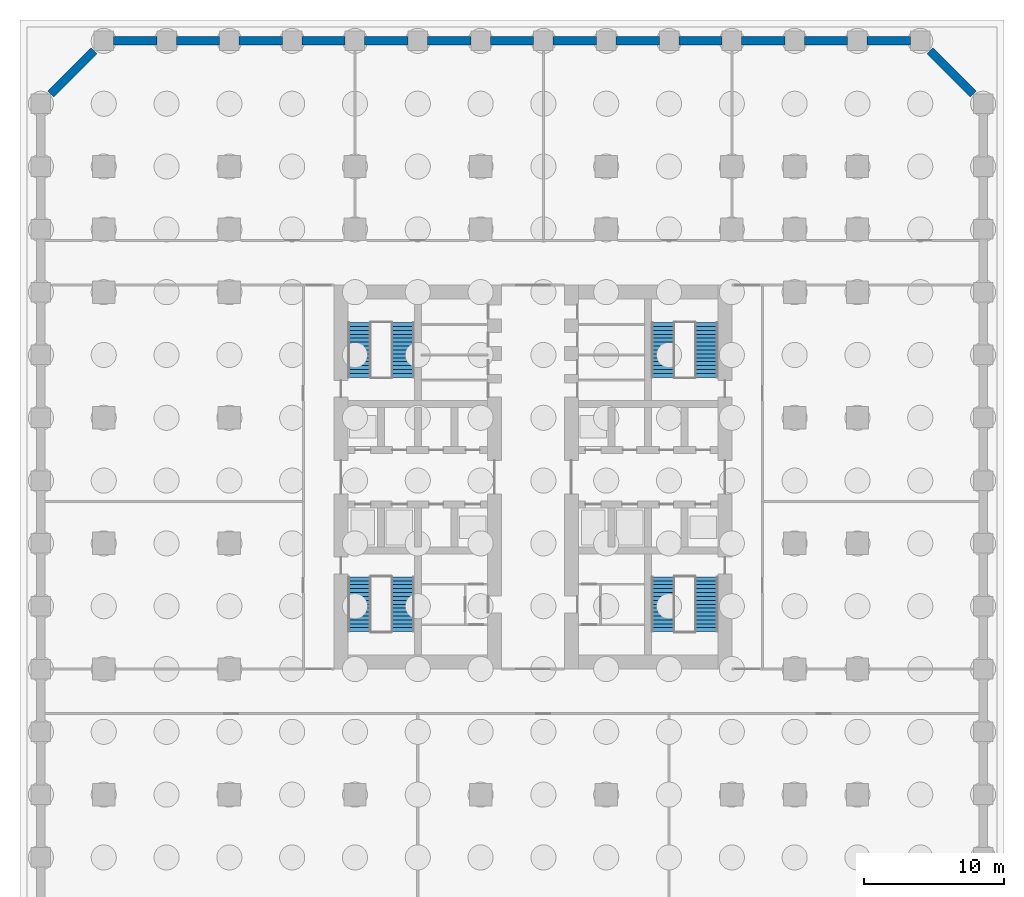
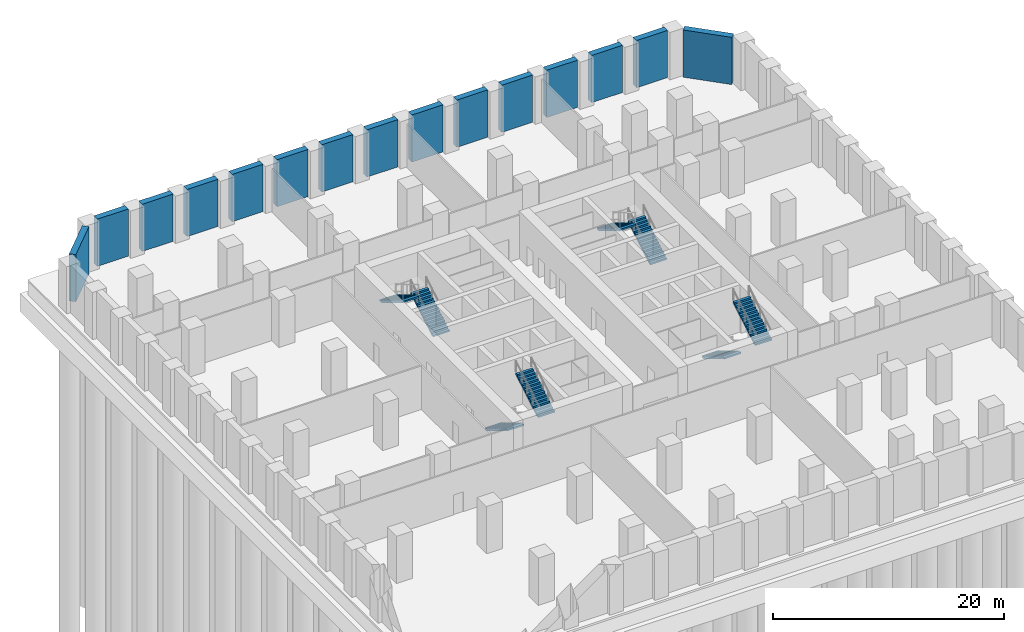
# One storey, part 7 of 9: 15 walls, 8 stair flights, 4 elements without a shape of their own.
"""IFC4 building model written with IfcOpenShell, lengths in metres."""

from ifc_helpers import new_model, si_unit, direction, frame, frame_2d, origin, place, context, subcontext, project, spatial, polyline, rectangle, outline, extrude, material, layer, layer_set, type_object, element, aggregate, save


model = new_model("IFC4")

# Units and contexts
model_context = context("Model", 3, precision=1e-05, world=origin(), true_north=direction((0.0, 1.0)))
body_context = subcontext(model_context, "Body", "Model", "MODEL_VIEW")
ifc_project = project(units=[si_unit("LENGTHUNIT", "METRE"), si_unit("AREAUNIT", "SQUARE_METRE"), si_unit("VOLUMEUNIT", "CUBIC_METRE"), si_unit("PLANEANGLEUNIT", "RADIAN"), si_unit("MASSUNIT", "GRAM", prefix="KILO")], contexts=[model_context])

# Site, building, storey
site_placement = place(None, origin())
site = spatial("IfcSite", under=ifc_project, at=site_placement, CompositionType="ELEMENT")
building_placement = place(site_placement, origin())
building = spatial("IfcBuilding", under=site, at=building_placement, Name="Corbel Stack Research Tower", CompositionType="ELEMENT")
storey_placement = place(building_placement, frame((0.0, 0.0, -10.0)))
storey = spatial("IfcBuildingStorey", under=building, at=storey_placement, Name="B2", CompositionType="ELEMENT", Elevation=-10.0)

# Walls
ifc_material_1 = material(Name="Concrete C45/55", Category="concrete")
ifc_layer = layer(ifc_material_1, 0.60009765625)
ifc_layer_set = layer_set([ifc_layer], Name="Concrete C45/55")
wall_type = type_object("IfcWallType", Name="BW-600", PredefinedType="SOLIDWALL", material=ifc_layer_set)
wall_1_placement = place(storey_placement, frame((35.300048828125, 32.199951171875, 0.0), z_axis=(0.0, 0.0, 1.0), x_axis=(-0.707106781187, 0.707106781187, 0.0)))
element("IfcWall", 1, at=wall_1_placement, inside=storey, type_object=wall_type, Name="Basement wall B2", PredefinedType="SOLIDWALL", context=body_context, shape_type="SweptSolid", body=[
    extrude(rectangle(XDim=4.38427734375, YDim=0.60009765625, at=frame_2d((2.192138671875, 0.0))), origin(), (0.0, 0.0, 1.0), 5.0),
])
for number, where, z_axis, x_axis, name in (
    (2, (30.800048828125, 36.0, 0.0), (0.0, 0.0, 1.0), (-1.0, 0.0, 0.0), "Basement wall B2"),
    (3, (26.300048828125, 36.0, 0.0), (0.0, 0.0, 1.0), (-1.0, 0.0, 0.0), "Basement wall B2"),
    (4, (21.800048828125, 36.0, 0.0), (0.0, 0.0, 1.0), (-1.0, 0.0, 0.0), "Basement wall B2"),
    (5, (17.300048828125, 36.0, 0.0), (0.0, 0.0, 1.0), (-1.0, 0.0, 0.0), "Basement wall B2"),
    (6, (12.800048828125, 36.0, 0.0), (0.0, 0.0, 1.0), (-1.0, 0.0, 0.0), "Basement wall B2"),
    (7, (8.300048828125, 36.0, 0.0), (0.0, 0.0, 1.0), (-1.0, 0.0, 0.0), "Basement wall B2"),
    (8, (3.800048828125, 36.0, 0.0), (0.0, 0.0, 1.0), (-1.0, 0.0, 0.0), "Basement wall B2"),
    (9, (-0.699951171875, 36.0, 0.0), (0.0, 0.0, 1.0), (-1.0, 0.0, 0.0), "Basement wall B2"),
    (10, (-5.199951171875, 36.0, 0.0), (0.0, 0.0, 1.0), (-1.0, 0.0, 0.0), "Basement wall B2"),
    (11, (-9.699951171875, 36.0, 0.0), (0.0, 0.0, 1.0), (-1.0, 0.0, 0.0), "Basement wall B2"),
    (12, (-14.199951171875, 36.0, 0.0), (0.0, 0.0, 1.0), (-1.0, 0.0, 0.0), "Basement wall B2"),
    (13, (-18.699951171875, 36.0, 0.0), (0.0, 0.0, 1.0), (-1.0, 0.0, 0.0), "Basement wall B2"),
    (14, (-23.199951171875, 36.0, 0.0), (0.0, 0.0, 1.0), (-1.0, 0.0, 0.0), "Basement wall B2"),
):
    element("IfcWall", number, at=place(storey_placement, frame(where, z_axis=z_axis, x_axis=x_axis)), inside=storey, type_object=wall_type, Name=name, PredefinedType="SOLIDWALL", context=body_context, shape_type="SweptSolid", body=[
        extrude(rectangle(XDim=3.10009765625, YDim=0.60009765625, at=frame_2d((1.550048828125, 0.0))), origin(), (0.0, 0.0, 1.0), 5.0),
    ])
wall_2_placement = place(storey_placement, frame((-27.699951171875, 35.300048828125, 0.0), z_axis=(0.0, 0.0, 1.0), x_axis=(-0.707106781187, -0.707106781187, 0.0)))
element("IfcWall", 15, at=wall_2_placement, inside=storey, type_object=wall_type, Name="Basement wall B2", PredefinedType="SOLIDWALL", context=body_context, shape_type="SweptSolid", body=[
    extrude(rectangle(XDim=4.38427734375, YDim=0.60009765625, at=frame_2d((2.192138671875, 0.0))), origin(), (0.0, 0.0, 1.0), 5.0),
])

# Stair, stair flights
ifc_material_2 = material(Name="Concrete C40/50", Category="concrete")
stair_type = type_object("IfcStairType", Name="Exit stair 30 risers", PredefinedType="HALF_TURN_STAIR", material=ifc_material_2)
stair_1_placement = place(storey_placement, origin())
stair_1 = element("IfcStair", 16, at=stair_1_placement, inside=storey, type_object=stair_type, Name="B2 Exit stair ST-W1", PredefinedType="HALF_TURN_STAIR")
ifc_material_3 = material(Name="Concrete C40/50", Category="concrete")
stair_flight_type = type_object("IfcStairFlightType", Name="Stair flight 15 risers", PredefinedType="STRAIGHT", material=ifc_material_3)
stair_flight_1_placement = place(storey_placement, frame((-8.675048828125, -2.39990234375, 0.0), z_axis=(0.0, 0.0, 1.0), x_axis=(0.0, -1.0, 0.0)))
stair_flight_1 = element("IfcStairFlight", 17, at=stair_flight_1_placement, type_object=stair_flight_type, Name="ST-W1 flight 1", NumberOfRisers=15, NumberOfTreads=14, PredefinedType="STRAIGHT", RiserHeight=0.166666667, TreadLength=0.28, context=body_context, shape_type="SweptSolid", body=[
    extrude(outline(polyline([(0.0, 0.0), (0.0, 0.166748046875), (0.280029296875, 0.166748046875), (0.280029296875, 0.333251953125), (0.56005859375, 0.333251953125), (0.56005859375, 0.5), (0.840087890625, 0.5), (0.840087890625, 0.666748046875), (1.1201171875, 0.666748046875), (1.1201171875, 0.833251953125), (1.39990234375, 0.833251953125), (1.39990234375, 1.0), (1.679931640625, 1.0), (1.679931640625, 1.166748046875), (1.9599609375, 1.166748046875), (1.9599609375, 1.333251953125), (2.239990234375, 1.333251953125), (2.239990234375, 1.5), (2.52001953125, 1.5), (2.52001953125, 1.666748046875), (2.800048828125, 1.666748046875), (2.800048828125, 1.833251953125), (3.080078125, 1.833251953125), (3.080078125, 2.0), (3.360107421875, 2.0), (3.360107421875, 2.166748046875), (3.639892578125, 2.166748046875), (3.639892578125, 2.333251953125), (3.919921875, 2.333251953125), (3.919921875, 2.5), (3.919921875, 2.158935546875), (0.29296875, 0.0), (0.0, 0.0)])), frame((0.0, 0.824951171875, 0.0), z_axis=(0.0, -1.0, 0.0), x_axis=(1.0, 0.0, 0.0)), (0.0, 0.0, 1.0), 1.64990234375),
])
stair_flight_2_placement = place(storey_placement, frame((-5.574951171875, -6.320068359375, 2.5), z_axis=(0.0, 0.0, 1.0), x_axis=(0.0, 1.0, 0.0)))
stair_flight_2 = element("IfcStairFlight", 18, at=stair_flight_2_placement, type_object=stair_flight_type, Name="ST-W1 flight 2", NumberOfRisers=15, NumberOfTreads=14, PredefinedType="STRAIGHT", RiserHeight=0.166666667, TreadLength=0.28, context=body_context, shape_type="SweptSolid", body=[
    extrude(outline(polyline([(0.0, 0.0), (0.0, 0.166748046875), (0.280029296875, 0.166748046875), (0.280029296875, 0.333251953125), (0.56005859375, 0.333251953125), (0.56005859375, 0.5), (0.840087890625, 0.5), (0.840087890625, 0.666748046875), (1.1201171875, 0.666748046875), (1.1201171875, 0.833251953125), (1.39990234375, 0.833251953125), (1.39990234375, 1.0), (1.679931640625, 1.0), (1.679931640625, 1.166748046875), (1.9599609375, 1.166748046875), (1.9599609375, 1.333251953125), (2.239990234375, 1.333251953125), (2.239990234375, 1.5), (2.52001953125, 1.5), (2.52001953125, 1.666748046875), (2.800048828125, 1.666748046875), (2.800048828125, 1.833251953125), (3.080078125, 1.833251953125), (3.080078125, 2.0), (3.360107421875, 2.0), (3.360107421875, 2.166748046875), (3.639892578125, 2.166748046875), (3.639892578125, 2.333251953125), (3.919921875, 2.333251953125), (3.919921875, 2.5), (3.919921875, 2.158935546875), (0.29296875, 0.0), (0.0, 0.0)])), frame((0.0, 0.824951171875, 0.0), z_axis=(0.0, -1.0, 0.0), x_axis=(1.0, 0.0, 0.0)), (0.0, 0.0, 1.0), 1.64990234375),
])
aggregate(stair_1, [stair_flight_1, stair_flight_2])

stair_2_placement = place(storey_placement, origin())
stair_2 = element("IfcStair", 19, at=stair_2_placement, inside=storey, type_object=stair_type, Name="B2 Exit stair ST-W2", PredefinedType="HALF_TURN_STAIR")
stair_flight_3_placement = place(storey_placement, frame((-5.574951171875, 11.89990234375, 0.0), z_axis=(0.0, 0.0, 1.0), x_axis=(0.0, 1.0, 0.0)))
stair_flight_3 = element("IfcStairFlight", 20, at=stair_flight_3_placement, type_object=stair_flight_type, Name="ST-W2 flight 1", NumberOfRisers=15, NumberOfTreads=14, PredefinedType="STRAIGHT", RiserHeight=0.166666667, TreadLength=0.28, context=body_context, shape_type="SweptSolid", body=[
    extrude(outline(polyline([(0.0, 0.0), (0.0, 0.166748046875), (0.280029296875, 0.166748046875), (0.280029296875, 0.333251953125), (0.56005859375, 0.333251953125), (0.56005859375, 0.5), (0.840087890625, 0.5), (0.840087890625, 0.666748046875), (1.1201171875, 0.666748046875), (1.1201171875, 0.833251953125), (1.39990234375, 0.833251953125), (1.39990234375, 1.0), (1.679931640625, 1.0), (1.679931640625, 1.166748046875), (1.9599609375, 1.166748046875), (1.9599609375, 1.333251953125), (2.239990234375, 1.333251953125), (2.239990234375, 1.5), (2.52001953125, 1.5), (2.52001953125, 1.666748046875), (2.800048828125, 1.666748046875), (2.800048828125, 1.833251953125), (3.080078125, 1.833251953125), (3.080078125, 2.0), (3.360107421875, 2.0), (3.360107421875, 2.166748046875), (3.639892578125, 2.166748046875), (3.639892578125, 2.333251953125), (3.919921875, 2.333251953125), (3.919921875, 2.5), (3.919921875, 2.158935546875), (0.29296875, 0.0), (0.0, 0.0)])), frame((0.0, 0.824951171875, 0.0), z_axis=(0.0, -1.0, 0.0), x_axis=(1.0, 0.0, 0.0)), (0.0, 0.0, 1.0), 1.64990234375),
])
stair_flight_4_placement = place(storey_placement, frame((-8.675048828125, 15.820068359375, 2.5), z_axis=(0.0, 0.0, 1.0), x_axis=(0.0, -1.0, 0.0)))
stair_flight_4 = element("IfcStairFlight", 21, at=stair_flight_4_placement, type_object=stair_flight_type, Name="ST-W2 flight 2", NumberOfRisers=15, NumberOfTreads=14, PredefinedType="STRAIGHT", RiserHeight=0.166666667, TreadLength=0.28, context=body_context, shape_type="SweptSolid", body=[
    extrude(outline(polyline([(0.0, 0.0), (0.0, 0.166748046875), (0.280029296875, 0.166748046875), (0.280029296875, 0.333251953125), (0.56005859375, 0.333251953125), (0.56005859375, 0.5), (0.840087890625, 0.5), (0.840087890625, 0.666748046875), (1.1201171875, 0.666748046875), (1.1201171875, 0.833251953125), (1.39990234375, 0.833251953125), (1.39990234375, 1.0), (1.679931640625, 1.0), (1.679931640625, 1.166748046875), (1.9599609375, 1.166748046875), (1.9599609375, 1.333251953125), (2.239990234375, 1.333251953125), (2.239990234375, 1.5), (2.52001953125, 1.5), (2.52001953125, 1.666748046875), (2.800048828125, 1.666748046875), (2.800048828125, 1.833251953125), (3.080078125, 1.833251953125), (3.080078125, 2.0), (3.360107421875, 2.0), (3.360107421875, 2.166748046875), (3.639892578125, 2.166748046875), (3.639892578125, 2.333251953125), (3.919921875, 2.333251953125), (3.919921875, 2.5), (3.919921875, 2.158935546875), (0.29296875, 0.0), (0.0, 0.0)])), frame((0.0, 0.824951171875, 0.0), z_axis=(0.0, -1.0, 0.0), x_axis=(1.0, 0.0, 0.0)), (0.0, 0.0, 1.0), 1.64990234375),
])
aggregate(stair_2, [stair_flight_3, stair_flight_4])

stair_3_placement = place(storey_placement, origin())
stair_3 = element("IfcStair", 22, at=stair_3_placement, inside=storey, type_object=stair_type, Name="B2 Exit stair ST-E1", PredefinedType="HALF_TURN_STAIR")
stair_flight_5_placement = place(storey_placement, frame((13.074951171875, -2.39990234375, 0.0), z_axis=(0.0, 0.0, 1.0), x_axis=(0.0, -1.0, 0.0)))
stair_flight_5 = element("IfcStairFlight", 23, at=stair_flight_5_placement, type_object=stair_flight_type, Name="ST-E1 flight 1", NumberOfRisers=15, NumberOfTreads=14, PredefinedType="STRAIGHT", RiserHeight=0.166666667, TreadLength=0.28, context=body_context, shape_type="SweptSolid", body=[
    extrude(outline(polyline([(0.0, 0.0), (0.0, 0.166748046875), (0.280029296875, 0.166748046875), (0.280029296875, 0.333251953125), (0.56005859375, 0.333251953125), (0.56005859375, 0.5), (0.840087890625, 0.5), (0.840087890625, 0.666748046875), (1.1201171875, 0.666748046875), (1.1201171875, 0.833251953125), (1.39990234375, 0.833251953125), (1.39990234375, 1.0), (1.679931640625, 1.0), (1.679931640625, 1.166748046875), (1.9599609375, 1.166748046875), (1.9599609375, 1.333251953125), (2.239990234375, 1.333251953125), (2.239990234375, 1.5), (2.52001953125, 1.5), (2.52001953125, 1.666748046875), (2.800048828125, 1.666748046875), (2.800048828125, 1.833251953125), (3.080078125, 1.833251953125), (3.080078125, 2.0), (3.360107421875, 2.0), (3.360107421875, 2.166748046875), (3.639892578125, 2.166748046875), (3.639892578125, 2.333251953125), (3.919921875, 2.333251953125), (3.919921875, 2.5), (3.919921875, 2.158935546875), (0.29296875, 0.0), (0.0, 0.0)])), frame((0.0, 0.824951171875, 0.0), z_axis=(0.0, -1.0, 0.0), x_axis=(1.0, 0.0, 0.0)), (0.0, 0.0, 1.0), 1.64990234375),
])
stair_flight_6_placement = place(storey_placement, frame((16.175048828125, -6.320068359375, 2.5), z_axis=(0.0, 0.0, 1.0), x_axis=(0.0, 1.0, 0.0)))
stair_flight_6 = element("IfcStairFlight", 24, at=stair_flight_6_placement, type_object=stair_flight_type, Name="ST-E1 flight 2", NumberOfRisers=15, NumberOfTreads=14, PredefinedType="STRAIGHT", RiserHeight=0.166666667, TreadLength=0.28, context=body_context, shape_type="SweptSolid", body=[
    extrude(outline(polyline([(0.0, 0.0), (0.0, 0.166748046875), (0.280029296875, 0.166748046875), (0.280029296875, 0.333251953125), (0.56005859375, 0.333251953125), (0.56005859375, 0.5), (0.840087890625, 0.5), (0.840087890625, 0.666748046875), (1.1201171875, 0.666748046875), (1.1201171875, 0.833251953125), (1.39990234375, 0.833251953125), (1.39990234375, 1.0), (1.679931640625, 1.0), (1.679931640625, 1.166748046875), (1.9599609375, 1.166748046875), (1.9599609375, 1.333251953125), (2.239990234375, 1.333251953125), (2.239990234375, 1.5), (2.52001953125, 1.5), (2.52001953125, 1.666748046875), (2.800048828125, 1.666748046875), (2.800048828125, 1.833251953125), (3.080078125, 1.833251953125), (3.080078125, 2.0), (3.360107421875, 2.0), (3.360107421875, 2.166748046875), (3.639892578125, 2.166748046875), (3.639892578125, 2.333251953125), (3.919921875, 2.333251953125), (3.919921875, 2.5), (3.919921875, 2.158935546875), (0.29296875, 0.0), (0.0, 0.0)])), frame((0.0, 0.824951171875, 0.0), z_axis=(0.0, -1.0, 0.0), x_axis=(1.0, 0.0, 0.0)), (0.0, 0.0, 1.0), 1.64990234375),
])
aggregate(stair_3, [stair_flight_5, stair_flight_6])

stair_4_placement = place(storey_placement, origin())
stair_4 = element("IfcStair", 25, at=stair_4_placement, inside=storey, type_object=stair_type, Name="B2 Exit stair ST-E2", PredefinedType="HALF_TURN_STAIR")
stair_flight_7_placement = place(storey_placement, frame((16.175048828125, 11.89990234375, 0.0), z_axis=(0.0, 0.0, 1.0), x_axis=(0.0, 1.0, 0.0)))
stair_flight_7 = element("IfcStairFlight", 26, at=stair_flight_7_placement, type_object=stair_flight_type, Name="ST-E2 flight 1", NumberOfRisers=15, NumberOfTreads=14, PredefinedType="STRAIGHT", RiserHeight=0.166666667, TreadLength=0.28, context=body_context, shape_type="SweptSolid", body=[
    extrude(outline(polyline([(0.0, 0.0), (0.0, 0.166748046875), (0.280029296875, 0.166748046875), (0.280029296875, 0.333251953125), (0.56005859375, 0.333251953125), (0.56005859375, 0.5), (0.840087890625, 0.5), (0.840087890625, 0.666748046875), (1.1201171875, 0.666748046875), (1.1201171875, 0.833251953125), (1.39990234375, 0.833251953125), (1.39990234375, 1.0), (1.679931640625, 1.0), (1.679931640625, 1.166748046875), (1.9599609375, 1.166748046875), (1.9599609375, 1.333251953125), (2.239990234375, 1.333251953125), (2.239990234375, 1.5), (2.52001953125, 1.5), (2.52001953125, 1.666748046875), (2.800048828125, 1.666748046875), (2.800048828125, 1.833251953125), (3.080078125, 1.833251953125), (3.080078125, 2.0), (3.360107421875, 2.0), (3.360107421875, 2.166748046875), (3.639892578125, 2.166748046875), (3.639892578125, 2.333251953125), (3.919921875, 2.333251953125), (3.919921875, 2.5), (3.919921875, 2.158935546875), (0.29296875, 0.0), (0.0, 0.0)])), frame((0.0, 0.824951171875, 0.0), z_axis=(0.0, -1.0, 0.0), x_axis=(1.0, 0.0, 0.0)), (0.0, 0.0, 1.0), 1.64990234375),
])
stair_flight_8_placement = place(storey_placement, frame((13.074951171875, 15.820068359375, 2.5), z_axis=(0.0, 0.0, 1.0), x_axis=(0.0, -1.0, 0.0)))
stair_flight_8 = element("IfcStairFlight", 27, at=stair_flight_8_placement, type_object=stair_flight_type, Name="ST-E2 flight 2", NumberOfRisers=15, NumberOfTreads=14, PredefinedType="STRAIGHT", RiserHeight=0.166666667, TreadLength=0.28, context=body_context, shape_type="SweptSolid", body=[
    extrude(outline(polyline([(0.0, 0.0), (0.0, 0.166748046875), (0.280029296875, 0.166748046875), (0.280029296875, 0.333251953125), (0.56005859375, 0.333251953125), (0.56005859375, 0.5), (0.840087890625, 0.5), (0.840087890625, 0.666748046875), (1.1201171875, 0.666748046875), (1.1201171875, 0.833251953125), (1.39990234375, 0.833251953125), (1.39990234375, 1.0), (1.679931640625, 1.0), (1.679931640625, 1.166748046875), (1.9599609375, 1.166748046875), (1.9599609375, 1.333251953125), (2.239990234375, 1.333251953125), (2.239990234375, 1.5), (2.52001953125, 1.5), (2.52001953125, 1.666748046875), (2.800048828125, 1.666748046875), (2.800048828125, 1.833251953125), (3.080078125, 1.833251953125), (3.080078125, 2.0), (3.360107421875, 2.0), (3.360107421875, 2.166748046875), (3.639892578125, 2.166748046875), (3.639892578125, 2.333251953125), (3.919921875, 2.333251953125), (3.919921875, 2.5), (3.919921875, 2.158935546875), (0.29296875, 0.0), (0.0, 0.0)])), frame((0.0, 0.824951171875, 0.0), z_axis=(0.0, -1.0, 0.0), x_axis=(1.0, 0.0, 0.0)), (0.0, 0.0, 1.0), 1.64990234375),
])
aggregate(stair_4, [stair_flight_7, stair_flight_8])

save(model, "model.ifc")
